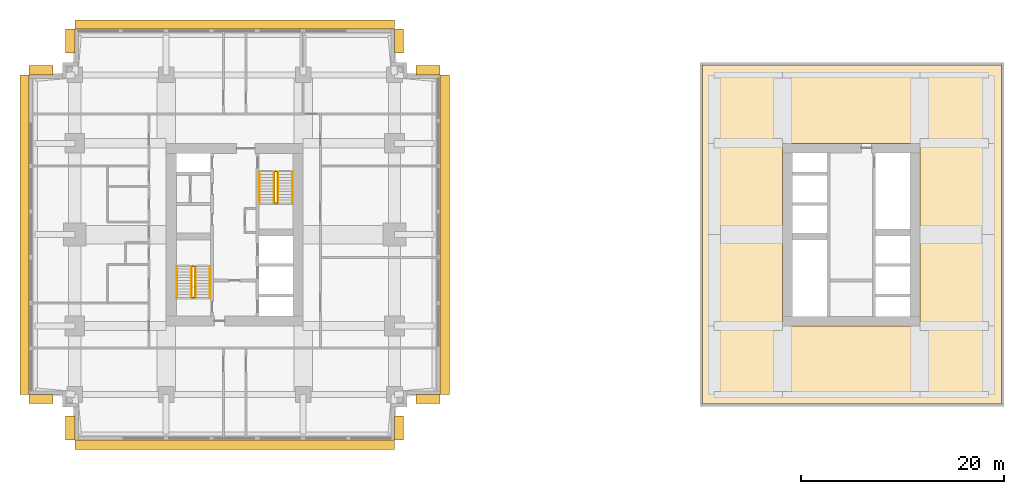
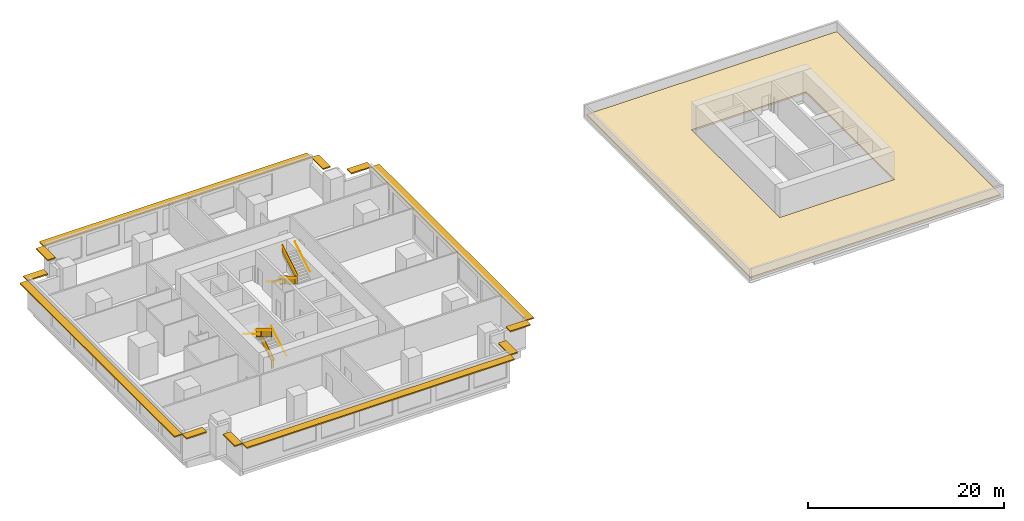
# One storey, part 7 of 7: 12 shading devices, 10 railings, 1 covering.
"""IFC4 building model written with IfcOpenShell, lengths in metres."""

from ifc_helpers import new_model, si_unit, direction, frame, origin, origin_2d, place, context, subcontext, project, spatial, polyline, rectangle, circle, outline, extrude, material, layer, layer_set, type_object, element, save


model = new_model("IFC4")

# Units and contexts
model_context = context("Model", 3, precision=1e-05, world=origin(), true_north=direction((0.0, 1.0)))
body_context = subcontext(model_context, "Body", "Model", "MODEL_VIEW")
ifc_project = project(units=[si_unit("LENGTHUNIT", "METRE"), si_unit("AREAUNIT", "SQUARE_METRE"), si_unit("VOLUMEUNIT", "CUBIC_METRE"), si_unit("PLANEANGLEUNIT", "RADIAN"), si_unit("MASSUNIT", "GRAM", prefix="KILO")], contexts=[model_context])

# Site, building, storey
site_placement = place(None, origin())
site = spatial("IfcSite", under=ifc_project, at=site_placement, CompositionType="ELEMENT")
building_placement = place(site_placement, origin())
building = spatial("IfcBuilding", under=site, at=building_placement, Name="Namib Vertical Campus", CompositionType="ELEMENT")
storey_placement = place(building_placement, frame((0.0, 0.0, 237.0)))
storey = spatial("IfcBuildingStorey", under=building, at=storey_placement, Name="L56", CompositionType="ELEMENT", Elevation=237.0)

# Railings
ifc_material_1 = material(Name="Steel handrail", Category="steel")
railing_type_1 = type_object("IfcRailingType", Name="Handrail 900", PredefinedType="HANDRAIL", material=ifc_material_1)
railing_1_placement = place(storey_placement, frame((17.800048828125, 14.050048828125, 0.166748046875)))
element("IfcRailing", 1, at=railing_1_placement, inside=storey, type_object=railing_type_1, Name="Handrail HR1 A-S1 L56 1", PredefinedType="HANDRAIL", context=body_context, shape_type="SweptSolid", body=[
    extrude(circle(Radius=0.02392578125, at=origin_2d()), frame((0.0, 0.0, 0.8759765625), z_axis=(0.0, 0.859290745958, 0.51148745235), x_axis=(-1.0, 0.0, 0.0)), (0.0, 0.0, 1.0), 3.584228515625),
    extrude(circle(Radius=0.008056640625, at=origin_2d()), frame((0.0, 0.0, 0.8759765625), z_axis=(1.0, 0.0, 0.0), x_axis=(0.0, 0.0, 1.0)), (0.0, 0.0, 1.0), 0.050048828125),
    extrude(circle(Radius=0.008056640625, at=origin_2d()), frame((0.0, 1.026611328125, 1.48681640625), z_axis=(1.0, 0.0, 0.0), x_axis=(0.0, 0.0, 1.0)), (0.0, 0.0, 1.0), 0.050048828125),
    extrude(circle(Radius=0.008056640625, at=origin_2d()), frame((0.0, 2.05322265625, 2.09814453125), z_axis=(1.0, 0.0, 0.0), x_axis=(0.0, 0.0, 1.0)), (0.0, 0.0, 1.0), 0.050048828125),
    extrude(circle(Radius=0.008056640625, at=origin_2d()), frame((0.0, 3.079833984375, 2.708984375), z_axis=(1.0, 0.0, 0.0), x_axis=(0.0, 0.0, 1.0)), (0.0, 0.0, 1.0), 0.050048828125),
])
railing_2_placement = place(storey_placement, frame((14.550048828125, 17.1298828125, 2.166748046875)))
element("IfcRailing", 2, at=railing_2_placement, inside=storey, type_object=railing_type_1, Name="Handrail HR1 A-S1 L56 2", PredefinedType="HANDRAIL", context=body_context, shape_type="SweptSolid", body=[
    extrude(circle(Radius=0.02392578125, at=origin_2d()), frame((0.0, 0.0, 0.8759765625), z_axis=(0.0, -0.859290745958, 0.51148745235), x_axis=(1.0, 0.0, 0.0)), (0.0, 0.0, 1.0), 3.584228515625),
    extrude(circle(Radius=0.008056640625, at=origin_2d()), frame((0.0, 0.0, 0.8759765625), z_axis=(-1.0, 0.0, 0.0), x_axis=(0.0, 0.0, 1.0)), (0.0, 0.0, 1.0), 0.050048828125),
    extrude(circle(Radius=0.008056640625, at=origin_2d()), frame((0.0, -1.026611328125, 1.48681640625), z_axis=(-1.0, 0.0, 0.0), x_axis=(0.0, 0.0, 1.0)), (0.0, 0.0, 1.0), 0.050048828125),
    extrude(circle(Radius=0.008056640625, at=origin_2d()), frame((0.0, -2.05322265625, 2.09814453125), z_axis=(-1.0, 0.0, 0.0), x_axis=(0.0, 0.0, 1.0)), (0.0, 0.0, 1.0), 0.050048828125),
    extrude(circle(Radius=0.008056640625, at=origin_2d()), frame((0.0, -3.079833984375, 2.708984375), z_axis=(-1.0, 0.0, 0.0), x_axis=(0.0, 0.0, 1.0)), (0.0, 0.0, 1.0), 0.050048828125),
])
railing_3_placement = place(storey_placement, frame((16.375, 14.050048828125, 0.166748046875)))
element("IfcRailing", 3, at=railing_3_placement, inside=storey, type_object=railing_type_1, Name="Handrail HR1 A-S1 L56 1 at the well", PredefinedType="HANDRAIL", context=body_context, shape_type="SweptSolid", body=[
    extrude(circle(Radius=0.02392578125, at=origin_2d()), frame((0.0, 0.0, 0.8759765625), z_axis=(0.0, 0.859290745958, 0.51148745235), x_axis=(-1.0, 0.0, 0.0)), (0.0, 0.0, 1.0), 3.584228515625),
    extrude(circle(Radius=0.008056640625, at=origin_2d()), frame((0.0, 0.0, 0.8759765625), z_axis=(-1.0, 0.0, 0.0), x_axis=(0.0, 0.0, 1.0)), (0.0, 0.0, 1.0), 0.0400390625),
    extrude(circle(Radius=0.008056640625, at=origin_2d()), frame((0.0, 1.026611328125, 1.48681640625), z_axis=(-1.0, 0.0, 0.0), x_axis=(0.0, 0.0, 1.0)), (0.0, 0.0, 1.0), 0.0400390625),
    extrude(circle(Radius=0.008056640625, at=origin_2d()), frame((0.0, 2.05322265625, 2.09814453125), z_axis=(-1.0, 0.0, 0.0), x_axis=(0.0, 0.0, 1.0)), (0.0, 0.0, 1.0), 0.0400390625),
    extrude(circle(Radius=0.008056640625, at=origin_2d()), frame((0.0, 3.079833984375, 2.708984375), z_axis=(-1.0, 0.0, 0.0), x_axis=(0.0, 0.0, 1.0)), (0.0, 0.0, 1.0), 0.0400390625),
])
railing_4_placement = place(storey_placement, frame((15.97509765625, 17.1298828125, 2.166748046875)))
element("IfcRailing", 4, at=railing_4_placement, inside=storey, type_object=railing_type_1, Name="Handrail HR1 A-S1 L56 2 at the well", PredefinedType="HANDRAIL", context=body_context, shape_type="SweptSolid", body=[
    extrude(circle(Radius=0.02392578125, at=origin_2d()), frame((0.0, 0.0, 0.8759765625), z_axis=(0.0, -0.859290745958, 0.51148745235), x_axis=(1.0, 0.0, 0.0)), (0.0, 0.0, 1.0), 3.584228515625),
    extrude(circle(Radius=0.008056640625, at=origin_2d()), frame((0.0, 0.0, 0.8759765625), z_axis=(1.0, 0.0, 0.0), x_axis=(0.0, 0.0, 1.0)), (0.0, 0.0, 1.0), 0.0400390625),
    extrude(circle(Radius=0.008056640625, at=origin_2d()), frame((0.0, -1.026611328125, 1.48681640625), z_axis=(1.0, 0.0, 0.0), x_axis=(0.0, 0.0, 1.0)), (0.0, 0.0, 1.0), 0.0400390625),
    extrude(circle(Radius=0.008056640625, at=origin_2d()), frame((0.0, -2.05322265625, 2.09814453125), z_axis=(1.0, 0.0, 0.0), x_axis=(0.0, 0.0, 1.0)), (0.0, 0.0, 1.0), 0.0400390625),
    extrude(circle(Radius=0.008056640625, at=origin_2d()), frame((0.0, -3.079833984375, 2.708984375), z_axis=(1.0, 0.0, 0.0), x_axis=(0.0, 0.0, 1.0)), (0.0, 0.0, 1.0), 0.0400390625),
])
railing_5_placement = place(storey_placement, frame((22.699951171875, 26.449951171875, 0.166748046875)))
element("IfcRailing", 5, at=railing_5_placement, inside=storey, type_object=railing_type_1, Name="Handrail HR1 A-S2 L56 1", PredefinedType="HANDRAIL", context=body_context, shape_type="SweptSolid", body=[
    extrude(circle(Radius=0.02392578125, at=origin_2d()), frame((0.0, 0.0, 0.8759765625), z_axis=(0.0, -0.859290745958, 0.51148745235), x_axis=(1.0, 0.0, 0.0)), (0.0, 0.0, 1.0), 3.584228515625),
    extrude(circle(Radius=0.008056640625, at=origin_2d()), frame((0.0, 0.0, 0.8759765625), z_axis=(-1.0, 0.0, 0.0), x_axis=(0.0, 0.0, 1.0)), (0.0, 0.0, 1.0), 0.050048828125),
    extrude(circle(Radius=0.008056640625, at=origin_2d()), frame((0.0, -1.026611328125, 1.48681640625), z_axis=(-1.0, 0.0, 0.0), x_axis=(0.0, 0.0, 1.0)), (0.0, 0.0, 1.0), 0.050048828125),
    extrude(circle(Radius=0.008056640625, at=origin_2d()), frame((0.0, -2.05322265625, 2.09814453125), z_axis=(-1.0, 0.0, 0.0), x_axis=(0.0, 0.0, 1.0)), (0.0, 0.0, 1.0), 0.050048828125),
    extrude(circle(Radius=0.008056640625, at=origin_2d()), frame((0.0, -3.079833984375, 2.708984375), z_axis=(-1.0, 0.0, 0.0), x_axis=(0.0, 0.0, 1.0)), (0.0, 0.0, 1.0), 0.050048828125),
])
railing_6_placement = place(storey_placement, frame((25.949951171875, 23.3701171875, 2.166748046875)))
element("IfcRailing", 6, at=railing_6_placement, inside=storey, type_object=railing_type_1, Name="Handrail HR1 A-S2 L56 2", PredefinedType="HANDRAIL", context=body_context, shape_type="SweptSolid", body=[
    extrude(circle(Radius=0.02392578125, at=origin_2d()), frame((0.0, 0.0, 0.8759765625), z_axis=(0.0, 0.859290745958, 0.51148745235), x_axis=(-1.0, 0.0, 0.0)), (0.0, 0.0, 1.0), 3.584228515625),
    extrude(circle(Radius=0.008056640625, at=origin_2d()), frame((0.0, 0.0, 0.8759765625), z_axis=(1.0, 0.0, 0.0), x_axis=(0.0, 0.0, 1.0)), (0.0, 0.0, 1.0), 0.050048828125),
    extrude(circle(Radius=0.008056640625, at=origin_2d()), frame((0.0, 1.026611328125, 1.48681640625), z_axis=(1.0, 0.0, 0.0), x_axis=(0.0, 0.0, 1.0)), (0.0, 0.0, 1.0), 0.050048828125),
    extrude(circle(Radius=0.008056640625, at=origin_2d()), frame((0.0, 2.05322265625, 2.09814453125), z_axis=(1.0, 0.0, 0.0), x_axis=(0.0, 0.0, 1.0)), (0.0, 0.0, 1.0), 0.050048828125),
    extrude(circle(Radius=0.008056640625, at=origin_2d()), frame((0.0, 3.079833984375, 2.708984375), z_axis=(1.0, 0.0, 0.0), x_axis=(0.0, 0.0, 1.0)), (0.0, 0.0, 1.0), 0.050048828125),
])
railing_7_placement = place(storey_placement, frame((24.125, 26.449951171875, 0.166748046875)))
element("IfcRailing", 7, at=railing_7_placement, inside=storey, type_object=railing_type_1, Name="Handrail HR1 A-S2 L56 1 at the well", PredefinedType="HANDRAIL", context=body_context, shape_type="SweptSolid", body=[
    extrude(circle(Radius=0.02392578125, at=origin_2d()), frame((0.0, 0.0, 0.8759765625), z_axis=(0.0, -0.859290745958, 0.51148745235), x_axis=(1.0, 0.0, 0.0)), (0.0, 0.0, 1.0), 3.584228515625),
    extrude(circle(Radius=0.008056640625, at=origin_2d()), frame((0.0, 0.0, 0.8759765625), z_axis=(1.0, 0.0, 0.0), x_axis=(0.0, 0.0, 1.0)), (0.0, 0.0, 1.0), 0.0400390625),
    extrude(circle(Radius=0.008056640625, at=origin_2d()), frame((0.0, -1.026611328125, 1.48681640625), z_axis=(1.0, 0.0, 0.0), x_axis=(0.0, 0.0, 1.0)), (0.0, 0.0, 1.0), 0.0400390625),
    extrude(circle(Radius=0.008056640625, at=origin_2d()), frame((0.0, -2.05322265625, 2.09814453125), z_axis=(1.0, 0.0, 0.0), x_axis=(0.0, 0.0, 1.0)), (0.0, 0.0, 1.0), 0.0400390625),
    extrude(circle(Radius=0.008056640625, at=origin_2d()), frame((0.0, -3.079833984375, 2.708984375), z_axis=(1.0, 0.0, 0.0), x_axis=(0.0, 0.0, 1.0)), (0.0, 0.0, 1.0), 0.0400390625),
])
railing_8_placement = place(storey_placement, frame((24.52490234375, 23.3701171875, 2.166748046875)))
element("IfcRailing", 8, at=railing_8_placement, inside=storey, type_object=railing_type_1, Name="Handrail HR1 A-S2 L56 2 at the well", PredefinedType="HANDRAIL", context=body_context, shape_type="SweptSolid", body=[
    extrude(circle(Radius=0.02392578125, at=origin_2d()), frame((0.0, 0.0, 0.8759765625), z_axis=(0.0, 0.859290745958, 0.51148745235), x_axis=(-1.0, 0.0, 0.0)), (0.0, 0.0, 1.0), 3.584228515625),
    extrude(circle(Radius=0.008056640625, at=origin_2d()), frame((0.0, 0.0, 0.8759765625), z_axis=(-1.0, 0.0, 0.0), x_axis=(0.0, 0.0, 1.0)), (0.0, 0.0, 1.0), 0.0400390625),
    extrude(circle(Radius=0.008056640625, at=origin_2d()), frame((0.0, 1.026611328125, 1.48681640625), z_axis=(-1.0, 0.0, 0.0), x_axis=(0.0, 0.0, 1.0)), (0.0, 0.0, 1.0), 0.0400390625),
    extrude(circle(Radius=0.008056640625, at=origin_2d()), frame((0.0, 2.05322265625, 2.09814453125), z_axis=(-1.0, 0.0, 0.0), x_axis=(0.0, 0.0, 1.0)), (0.0, 0.0, 1.0), 0.0400390625),
    extrude(circle(Radius=0.008056640625, at=origin_2d()), frame((0.0, 3.079833984375, 2.708984375), z_axis=(-1.0, 0.0, 0.0), x_axis=(0.0, 0.0, 1.0)), (0.0, 0.0, 1.0), 0.0400390625),
])

# Covering
ifc_material_2 = material(Name="Inverted roof: paving slabs on pedestals over 120 mm extruded polystyrene on a hot-applied waterproofing membrane", Category="insulation")
ifc_layer_1 = layer(ifc_material_2, 0.199951171875)
ifc_layer_set_1 = layer_set([ifc_layer_1], Name="Inverted roof build-up 200")
covering_type = type_object("IfcCoveringType", Name="Inverted roof build-up 200", PredefinedType="ROOFING", material=ifc_layer_set_1)
covering_placement = place(storey_placement, origin())
element("IfcCovering", 9, at=covering_placement, inside=storey, type_object=covering_type, Name="Roof build-up RC2 Tower B roof 1", PredefinedType="ROOFING", context=body_context, shape_type="SweptSolid", body=[
    extrude(outline(polyline([(95.800048828125, 3.550048828125), (95.800048828125, 36.949951171875), (66.35009765625, 36.949951171875), (66.35009765625, 3.550048828125), (95.800048828125, 3.550048828125)]), holes=[polyline([(74.25, 29.25), (87.75, 29.25), (87.75, 11.25), (74.25, 11.25), (74.25, 29.25)])]), origin(), (0.0, 0.0, 1.0), 0.199951171875),
])

# Railings
ifc_material_3 = material(Name="Steel balustrade", Category="steel")
railing_type_2 = type_object("IfcRailingType", Name="Stair guard 1100", PredefinedType="GUARDRAIL", material=ifc_material_3)
railing_9_placement = place(storey_placement, frame((16.02490234375, 14.050048828125, 0.0)))
element("IfcRailing", 10, at=railing_9_placement, inside=storey, type_object=railing_type_2, Name="Stair guard GR1 A-S1 L56", PredefinedType="GUARDRAIL", context=body_context, shape_type="SweptSolid", body=[
    extrude(circle(Radius=0.02392578125, at=origin_2d()), frame((0.0, 0.0, 1.076171875), z_axis=(1.0, 0.0, 0.0), x_axis=(0.0, 1.0, 0.0)), (0.0, 0.0, 1.0), 0.300048828125),
    extrude(outline(polyline([(0.02099609375, 0.050048828125), (0.279052734375, 0.050048828125), (0.279052734375, 1.052001953125), (0.02099609375, 1.052001953125), (0.02099609375, 0.050048828125)])), frame((0.0, 0.010009765625, 0.0), z_axis=(0.0, -1.0, 0.0), x_axis=(1.0, 0.0, 0.0)), (0.0, 0.0, 1.0), 0.02001953125),
    extrude(circle(Radius=0.02392578125, at=origin_2d()), frame((0.300048828125, 0.0, 1.076171875), z_axis=(0.0, 0.0, 1.0), x_axis=(1.0, 0.0, 0.0)), (0.0, 0.0, 1.0), 0.166748046875),
    extrude(circle(Radius=0.02392578125, at=origin_2d()), frame((0.300048828125, 0.0, 1.24267578125), z_axis=(0.0, 0.859290745958, 0.51148745235), x_axis=(-1.0, 0.0, 0.0)), (0.0, 0.0, 1.0), 3.584228515625),
    extrude(outline(polyline([(0.02099609375, 0.0625), (3.058837890625, 1.870849609375), (3.058837890625, 2.872802734375), (0.02099609375, 1.064453125), (0.02099609375, 0.0625)])), frame((0.2900390625, 0.0, 0.166748046875), z_axis=(1.0, 0.0, 0.0), x_axis=(0.0, 1.0, 0.0)), (0.0, 0.0, 1.0), 0.02001953125),
    extrude(circle(Radius=0.02392578125, at=origin_2d()), frame((0.300048828125, 3.079833984375, 3.076171875), z_axis=(-1.0, 0.0, 0.0), x_axis=(0.0, -1.0, 0.0)), (0.0, 0.0, 1.0), 0.300048828125),
    extrude(outline(polyline([(0.02099609375, 0.050048828125), (0.279052734375, 0.050048828125), (0.279052734375, 1.052001953125), (0.02099609375, 1.052001953125), (0.02099609375, 0.050048828125)])), frame((0.300048828125, 3.06982421875, 2.0), z_axis=(0.0, 1.0, 0.0), x_axis=(-1.0, 0.0, 0.0)), (0.0, 0.0, 1.0), 0.02001953125),
    extrude(circle(Radius=0.02392578125, at=origin_2d()), frame((0.0, 3.079833984375, 3.076171875), z_axis=(0.0, 0.0, 1.0), x_axis=(1.0, 0.0, 0.0)), (0.0, 0.0, 1.0), 0.166748046875),
    extrude(circle(Radius=0.02392578125, at=origin_2d()), frame((0.0, 3.079833984375, 3.24267578125), z_axis=(0.0, -0.859290745958, 0.51148745235), x_axis=(1.0, 0.0, 0.0)), (0.0, 0.0, 1.0), 3.584228515625),
    extrude(outline(polyline([(0.02099609375, 0.0625), (3.058837890625, 1.870849609375), (3.058837890625, 2.872802734375), (0.02099609375, 1.064453125), (0.02099609375, 0.0625)])), frame((0.010009765625, 3.079833984375, 2.166748046875), z_axis=(-1.0, 0.0, 0.0), x_axis=(0.0, -1.0, 0.0)), (0.0, 0.0, 1.0), 0.02001953125),
    extrude(circle(Radius=0.02392578125, at=origin_2d()), frame((0.0, 0.0, 5.076171875), z_axis=(0.0, -1.0, 0.0), x_axis=(1.0, 0.0, 0.0)), (0.0, 0.0, 1.0), 0.050048828125),
    extrude(outline(polyline([(0.02099609375, 0.050048828125), (0.029052734375, 0.050048828125), (0.029052734375, 1.052001953125), (0.02099609375, 1.052001953125), (0.02099609375, 0.050048828125)])), frame((0.010009765625, 0.0, 4.0), z_axis=(-1.0, 0.0, 0.0), x_axis=(0.0, -1.0, 0.0)), (0.0, 0.0, 1.0), 0.02001953125),
    extrude(circle(Radius=0.02099609375, at=origin_2d()), origin(), (0.0, 0.0, 1.0), 1.052001953125),
    extrude(circle(Radius=0.02099609375, at=origin_2d()), frame((0.300048828125, 0.0, 0.166748046875)), (0.0, 0.0, 1.0), 1.052001953125),
    extrude(circle(Radius=0.02099609375, at=origin_2d()), frame((0.300048828125, 1.026611328125, 0.666748046875)), (0.0, 0.0, 1.0), 1.1630859375),
    extrude(circle(Radius=0.02099609375, at=origin_2d()), frame((0.300048828125, 2.05322265625, 1.33349609375)), (0.0, 0.0, 1.0), 1.107421875),
    extrude(circle(Radius=0.02099609375, at=origin_2d()), frame((0.300048828125, 3.079833984375, 2.0)), (0.0, 0.0, 1.0), 1.052001953125),
    extrude(circle(Radius=0.02099609375, at=origin_2d()), frame((0.0, 3.079833984375, 2.166748046875)), (0.0, 0.0, 1.0), 1.052001953125),
    extrude(circle(Radius=0.02099609375, at=origin_2d()), frame((0.0, 2.05322265625, 2.666748046875)), (0.0, 0.0, 1.0), 1.1630859375),
    extrude(circle(Radius=0.02099609375, at=origin_2d()), frame((0.0, 1.026611328125, 3.33349609375)), (0.0, 0.0, 1.0), 1.107421875),
    extrude(circle(Radius=0.02099609375, at=origin_2d()), frame((0.0, 0.0, 4.0)), (0.0, 0.0, 1.0), 1.052001953125),
    extrude(circle(Radius=0.02099609375, at=origin_2d()), frame((0.0, -0.050048828125, 4.0)), (0.0, 0.0, 1.0), 1.052001953125),
])
railing_10_placement = place(storey_placement, frame((24.47509765625, 26.449951171875, 0.0)))
element("IfcRailing", 11, at=railing_10_placement, inside=storey, type_object=railing_type_2, Name="Stair guard GR1 A-S2 L56", PredefinedType="GUARDRAIL", context=body_context, shape_type="SweptSolid", body=[
    extrude(circle(Radius=0.02392578125, at=origin_2d()), frame((0.0, 0.0, 1.076171875), z_axis=(-1.0, 0.0, 0.0), x_axis=(0.0, -1.0, 0.0)), (0.0, 0.0, 1.0), 0.300048828125),
    extrude(outline(polyline([(0.02099609375, 0.050048828125), (0.279052734375, 0.050048828125), (0.279052734375, 1.052001953125), (0.02099609375, 1.052001953125), (0.02099609375, 0.050048828125)])), frame((0.0, -0.010009765625, 0.0), z_axis=(0.0, 1.0, 0.0), x_axis=(-1.0, 0.0, 0.0)), (0.0, 0.0, 1.0), 0.02001953125),
    extrude(circle(Radius=0.02392578125, at=origin_2d()), frame((-0.300048828125, 0.0, 1.076171875), z_axis=(0.0, 0.0, 1.0), x_axis=(1.0, 0.0, 0.0)), (0.0, 0.0, 1.0), 0.166748046875),
    extrude(circle(Radius=0.02392578125, at=origin_2d()), frame((-0.300048828125, 0.0, 1.24267578125), z_axis=(0.0, -0.859290745958, 0.51148745235), x_axis=(1.0, 0.0, 0.0)), (0.0, 0.0, 1.0), 3.584228515625),
    extrude(outline(polyline([(0.02099609375, 0.0625), (3.058837890625, 1.870849609375), (3.058837890625, 2.872802734375), (0.02099609375, 1.064453125), (0.02099609375, 0.0625)])), frame((-0.2900390625, 0.0, 0.166748046875), z_axis=(-1.0, 0.0, 0.0), x_axis=(0.0, -1.0, 0.0)), (0.0, 0.0, 1.0), 0.02001953125),
    extrude(circle(Radius=0.02392578125, at=origin_2d()), frame((-0.300048828125, -3.079833984375, 3.076171875), z_axis=(1.0, 0.0, 0.0), x_axis=(0.0, 1.0, 0.0)), (0.0, 0.0, 1.0), 0.300048828125),
    extrude(outline(polyline([(0.02099609375, 0.050048828125), (0.279052734375, 0.050048828125), (0.279052734375, 1.052001953125), (0.02099609375, 1.052001953125), (0.02099609375, 0.050048828125)])), frame((-0.300048828125, -3.06982421875, 2.0), z_axis=(0.0, -1.0, 0.0), x_axis=(1.0, 0.0, 0.0)), (0.0, 0.0, 1.0), 0.02001953125),
    extrude(circle(Radius=0.02392578125, at=origin_2d()), frame((0.0, -3.079833984375, 3.076171875), z_axis=(0.0, 0.0, 1.0), x_axis=(1.0, 0.0, 0.0)), (0.0, 0.0, 1.0), 0.166748046875),
    extrude(circle(Radius=0.02392578125, at=origin_2d()), frame((0.0, -3.079833984375, 3.24267578125), z_axis=(0.0, 0.859290745958, 0.51148745235), x_axis=(-1.0, 0.0, 0.0)), (0.0, 0.0, 1.0), 3.584228515625),
    extrude(outline(polyline([(0.02099609375, 0.0625), (3.058837890625, 1.870849609375), (3.058837890625, 2.872802734375), (0.02099609375, 1.064453125), (0.02099609375, 0.0625)])), frame((-0.010009765625, -3.079833984375, 2.166748046875), z_axis=(1.0, 0.0, 0.0), x_axis=(0.0, 1.0, 0.0)), (0.0, 0.0, 1.0), 0.02001953125),
    extrude(circle(Radius=0.02392578125, at=origin_2d()), frame((0.0, 0.0, 5.076171875), z_axis=(0.0, 1.0, 0.0), x_axis=(-1.0, 0.0, 0.0)), (0.0, 0.0, 1.0), 0.050048828125),
    extrude(outline(polyline([(0.02099609375, 0.050048828125), (0.029052734375, 0.050048828125), (0.029052734375, 1.052001953125), (0.02099609375, 1.052001953125), (0.02099609375, 0.050048828125)])), frame((-0.010009765625, 0.0, 4.0), z_axis=(1.0, 0.0, 0.0), x_axis=(0.0, 1.0, 0.0)), (0.0, 0.0, 1.0), 0.02001953125),
    extrude(circle(Radius=0.02099609375, at=origin_2d()), origin(), (0.0, 0.0, 1.0), 1.052001953125),
    extrude(circle(Radius=0.02099609375, at=origin_2d()), frame((-0.300048828125, 0.0, 0.166748046875)), (0.0, 0.0, 1.0), 1.052001953125),
    extrude(circle(Radius=0.02099609375, at=origin_2d()), frame((-0.300048828125, -1.026611328125, 0.666748046875)), (0.0, 0.0, 1.0), 1.1630859375),
    extrude(circle(Radius=0.02099609375, at=origin_2d()), frame((-0.300048828125, -2.05322265625, 1.33349609375)), (0.0, 0.0, 1.0), 1.107421875),
    extrude(circle(Radius=0.02099609375, at=origin_2d()), frame((-0.300048828125, -3.079833984375, 2.0)), (0.0, 0.0, 1.0), 1.052001953125),
    extrude(circle(Radius=0.02099609375, at=origin_2d()), frame((0.0, -3.079833984375, 2.166748046875)), (0.0, 0.0, 1.0), 1.052001953125),
    extrude(circle(Radius=0.02099609375, at=origin_2d()), frame((0.0, -2.05322265625, 2.666748046875)), (0.0, 0.0, 1.0), 1.1630859375),
    extrude(circle(Radius=0.02099609375, at=origin_2d()), frame((0.0, -1.026611328125, 3.33349609375)), (0.0, 0.0, 1.0), 1.107421875),
    extrude(circle(Radius=0.02099609375, at=origin_2d()), frame((0.0, 0.0, 4.0)), (0.0, 0.0, 1.0), 1.052001953125),
    extrude(circle(Radius=0.02099609375, at=origin_2d()), frame((0.0, 0.050048828125, 4.0)), (0.0, 0.0, 1.0), 1.052001953125),
])

# Shading devices
ifc_material_4 = material(Name="Concrete C40/50 precast", Category="concrete")
ifc_layer_2 = layer(ifc_material_4, 0.14990234375)
ifc_layer_set_2 = layer_set([ifc_layer_2], Name="Concrete C40/50 precast")
shading_device_type = type_object("IfcShadingDeviceType", Name="Sunshade hood 900", PredefinedType="SHUTTER", material=ifc_layer_set_2)
shading_device_1_placement = place(storey_placement, frame((20.25, -0.449951171875, 3.199951171875), z_axis=(0.0, 0.0, 1.0), x_axis=(1.0, 0.0, 0.0)))
element("IfcShadingDevice", 12, at=shading_device_1_placement, inside=storey, type_object=shading_device_type, Name="Sunshade SH1 L56 1", PredefinedType="SHUTTER", context=body_context, shape_type="SweptSolid", body=[
    extrude(rectangle(XDim=31.5, YDim=0.89990234375, at=origin_2d()), origin(), (0.0, 0.0, 1.0), 0.14990234375),
])
for number, where, z_axis, x_axis, name in (
    (13, (36.449951171875, 1.1875, 3.199951171875), (0.0, 0.0, 1.0), (0.0, 1.0, 0.0), "Sunshade SH1 L56 2"),
    (14, (39.3125, 4.050048828125, 3.199951171875), (0.0, 0.0, 1.0), (1.0, 0.0, 0.0), "Sunshade SH1 L56 5"),
):
    element("IfcShadingDevice", number, at=place(storey_placement, frame(where, z_axis=z_axis, x_axis=x_axis)), inside=storey, type_object=shading_device_type, Name=name, PredefinedType="SHUTTER", context=body_context, shape_type="SweptSolid", body=[
        extrude(rectangle(XDim=2.375, YDim=0.89990234375, at=origin_2d()), origin(), (0.0, 0.0, 1.0), 0.14990234375),
    ])
shading_device_2_placement = place(storey_placement, frame((40.949951171875, 20.25, 3.199951171875), z_axis=(0.0, 0.0, 1.0), x_axis=(0.0, 1.0, 0.0)))
element("IfcShadingDevice", 15, at=shading_device_2_placement, inside=storey, type_object=shading_device_type, Name="Sunshade SH1 L56 6", PredefinedType="SHUTTER", context=body_context, shape_type="SweptSolid", body=[
    extrude(rectangle(XDim=31.5, YDim=0.89990234375, at=origin_2d()), origin(), (0.0, 0.0, 1.0), 0.14990234375),
])
for number, where, z_axis, x_axis, name in (
    (16, (39.3125, 36.449951171875, 3.199951171875), (0.0, 0.0, 1.0), (-1.0, 0.0, 0.0), "Sunshade SH1 L56 7"),
    (17, (36.449951171875, 39.3125, 3.199951171875), (0.0, 0.0, 1.0), (0.0, 1.0, 0.0), "Sunshade SH1 L56 10"),
):
    element("IfcShadingDevice", number, at=place(storey_placement, frame(where, z_axis=z_axis, x_axis=x_axis)), inside=storey, type_object=shading_device_type, Name=name, PredefinedType="SHUTTER", context=body_context, shape_type="SweptSolid", body=[
        extrude(rectangle(XDim=2.375, YDim=0.89990234375, at=origin_2d()), origin(), (0.0, 0.0, 1.0), 0.14990234375),
    ])
shading_device_3_placement = place(storey_placement, frame((20.25, 40.949951171875, 3.199951171875), z_axis=(0.0, 0.0, 1.0), x_axis=(-1.0, 0.0, 0.0)))
element("IfcShadingDevice", 18, at=shading_device_3_placement, inside=storey, type_object=shading_device_type, Name="Sunshade SH1 L56 11", PredefinedType="SHUTTER", context=body_context, shape_type="SweptSolid", body=[
    extrude(rectangle(XDim=31.5, YDim=0.89990234375, at=origin_2d()), origin(), (0.0, 0.0, 1.0), 0.14990234375),
])
for number, where, z_axis, x_axis, name in (
    (19, (4.050048828125, 39.3125, 3.199951171875), (0.0, 0.0, 1.0), (0.0, -1.0, 0.0), "Sunshade SH1 L56 12"),
    (20, (1.1875, 36.449951171875, 3.199951171875), (0.0, 0.0, 1.0), (-1.0, 0.0, 0.0), "Sunshade SH1 L56 15"),
):
    element("IfcShadingDevice", number, at=place(storey_placement, frame(where, z_axis=z_axis, x_axis=x_axis)), inside=storey, type_object=shading_device_type, Name=name, PredefinedType="SHUTTER", context=body_context, shape_type="SweptSolid", body=[
        extrude(rectangle(XDim=2.375, YDim=0.89990234375, at=origin_2d()), origin(), (0.0, 0.0, 1.0), 0.14990234375),
    ])
shading_device_4_placement = place(storey_placement, frame((-0.449951171875, 20.25, 3.199951171875), z_axis=(0.0, 0.0, 1.0), x_axis=(0.0, -1.0, 0.0)))
element("IfcShadingDevice", 21, at=shading_device_4_placement, inside=storey, type_object=shading_device_type, Name="Sunshade SH1 L56 16", PredefinedType="SHUTTER", context=body_context, shape_type="SweptSolid", body=[
    extrude(rectangle(XDim=31.5, YDim=0.89990234375, at=origin_2d()), origin(), (0.0, 0.0, 1.0), 0.14990234375),
])
for number, where, z_axis, x_axis, name in (
    (22, (1.1875, 4.050048828125, 3.199951171875), (0.0, 0.0, 1.0), (1.0, 0.0, 0.0), "Sunshade SH1 L56 17"),
    (23, (4.050048828125, 1.1875, 3.199951171875), (0.0, 0.0, 1.0), (0.0, -1.0, 0.0), "Sunshade SH1 L56 20"),
):
    element("IfcShadingDevice", number, at=place(storey_placement, frame(where, z_axis=z_axis, x_axis=x_axis)), inside=storey, type_object=shading_device_type, Name=name, PredefinedType="SHUTTER", context=body_context, shape_type="SweptSolid", body=[
        extrude(rectangle(XDim=2.375, YDim=0.89990234375, at=origin_2d()), origin(), (0.0, 0.0, 1.0), 0.14990234375),
    ])

save(model, "model.ifc")
